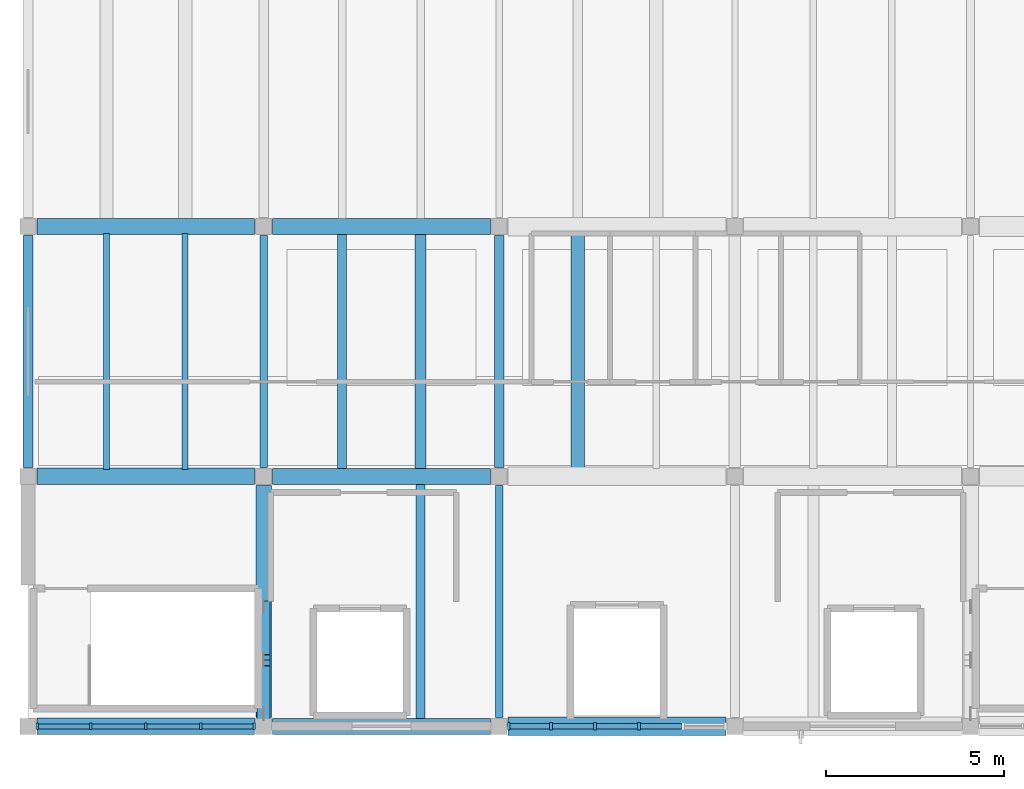
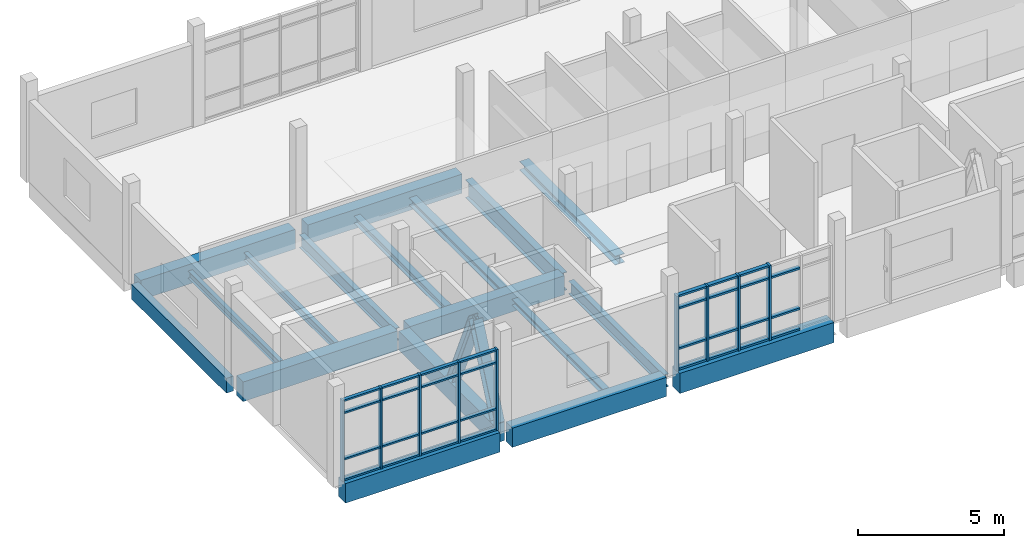
# One storey, part 2 of 10: 42 members, 18 beams, 2 elements without a shape of their own.
"""IFC4 building model written with IfcOpenShell, lengths in metres."""

from ifc_helpers import new_model, si_unit, direction, frame, origin, origin_2d, place, context, subcontext, project, spatial, rectangle, i_section, extrude, material, material_profile, profile_set, type_object, element, aggregate, save


model = new_model("IFC4")

# Units and contexts
model_context = context("Model", 3, precision=1e-05, world=origin(), true_north=direction((0.0, 1.0)))
body_context = subcontext(model_context, "Body", "Model", "MODEL_VIEW")
ifc_project = project(units=[si_unit("LENGTHUNIT", "METRE"), si_unit("AREAUNIT", "SQUARE_METRE"), si_unit("VOLUMEUNIT", "CUBIC_METRE"), si_unit("PLANEANGLEUNIT", "RADIAN"), si_unit("MASSUNIT", "GRAM", prefix="KILO")], contexts=[model_context])

# Site, building, storey
site_placement = place(None, origin())
site = spatial("IfcSite", under=ifc_project, at=site_placement, CompositionType="ELEMENT")
building_placement = place(site_placement, origin())
building = spatial("IfcBuilding", under=site, at=building_placement, Name="Ciguamira Faculty of Natural Sciences", CompositionType="ELEMENT")
storey_placement = place(building_placement, frame((0.0, 0.0, 46.199951171875)))
storey = spatial("IfcBuildingStorey", under=building, at=storey_placement, Name="L11", CompositionType="ELEMENT", Elevation=46.199951171875)

# Curtain wall, members
ifc_material_1 = material(Name="Anodized aluminium curtain wall", Category="aluminium")
curtain_wall_type_1 = type_object("IfcCurtainWallType", Name="CurtainWall_CW-02", PredefinedType="USERDEFINED", material=ifc_material_1)
curtain_wall_1_placement = place(storey_placement, origin())
curtain_wall_1 = element("IfcCurtainWall", 1, at=curtain_wall_1_placement, inside=storey, type_object=curtain_wall_type_1, Name="L11 unitised curtain wall 0170", ObjectType="UNITISED CURTAIN WALL", PredefinedType="USERDEFINED")
ifc_material_2 = material(Name="Anodized aluminium mullion", Category="aluminium")
ifc_material_profile_1 = material_profile(ifc_material_2, rectangle(XDim=0.070068359375, YDim=0.179931640625, at=origin_2d()), Name="ALU-MUL-70X180")
ifc_profile_set_1 = profile_set([ifc_material_profile_1], Name="Anodized aluminium mullion")
member_type_1 = type_object("IfcMemberType", Name="CWMullion_CWM-02", PredefinedType="MULLION", material=ifc_profile_set_1)
member_1_placement = place(storey_placement, frame((70.760009765625, 94.0, 0.0), z_axis=(0.0, 0.0, 1.0), x_axis=(1.0, 0.0, 0.0)))
member_1 = element("IfcMember", 2, at=member_1_placement, type_object=member_type_1, Name="CW-02 mullion 1", PredefinedType="MULLION", context=body_context, shape_type="SweptSolid", body=[
    extrude(rectangle(XDim=0.070068359375, YDim=0.179931640625, at=origin_2d()), origin(), (0.0, 0.0, 1.0), 3.385009765625),
])
member_2_placement = place(storey_placement, frame((72.262451171875, 94.0, 0.0), z_axis=(0.0, 0.0, 1.0), x_axis=(1.0, 0.0, 0.0)))
member_2 = element("IfcMember", 3, at=member_2_placement, type_object=member_type_1, Name="CW-02 mullion 2", PredefinedType="MULLION", context=body_context, shape_type="SweptSolid", body=[
    extrude(rectangle(XDim=0.070068359375, YDim=0.179931640625, at=origin_2d()), origin(), (0.0, 0.0, 1.0), 3.385009765625),
])
member_3_placement = place(storey_placement, frame((73.800048828125, 94.0, 0.0), z_axis=(0.0, 0.0, 1.0), x_axis=(1.0, 0.0, 0.0)))
member_3 = element("IfcMember", 4, at=member_3_placement, type_object=member_type_1, Name="CW-02 mullion 3", PredefinedType="MULLION", context=body_context, shape_type="SweptSolid", body=[
    extrude(rectangle(XDim=0.070068359375, YDim=0.179931640625, at=origin_2d()), origin(), (0.0, 0.0, 1.0), 3.385009765625),
])
member_4_placement = place(storey_placement, frame((75.33740234375, 94.0, 0.0), z_axis=(0.0, 0.0, 1.0), x_axis=(1.0, 0.0, 0.0)))
member_4 = element("IfcMember", 5, at=member_4_placement, type_object=member_type_1, Name="CW-02 mullion 4", PredefinedType="MULLION", context=body_context, shape_type="SweptSolid", body=[
    extrude(rectangle(XDim=0.070068359375, YDim=0.179931640625, at=origin_2d()), origin(), (0.0, 0.0, 1.0), 3.385009765625),
])
member_5_placement = place(storey_placement, frame((76.840087890625, 94.0, 0.0), z_axis=(0.0, 0.0, 1.0), x_axis=(1.0, 0.0, 0.0)))
member_5 = element("IfcMember", 6, at=member_5_placement, type_object=member_type_1, Name="CW-02 mullion 5", PredefinedType="MULLION", context=body_context, shape_type="SweptSolid", body=[
    extrude(rectangle(XDim=0.070068359375, YDim=0.179931640625, at=origin_2d()), origin(), (0.0, 0.0, 1.0), 3.385009765625),
])

curtain_wall_type_2 = type_object("IfcCurtainWallType", Name="CurtainWall_CW-03", PredefinedType="USERDEFINED", material=ifc_material_1)
curtain_wall_2_placement = place(storey_placement, origin())
curtain_wall_2 = element("IfcCurtainWall", 7, at=curtain_wall_2_placement, inside=storey, type_object=curtain_wall_type_2, Name="L11 unitised curtain wall 0171", ObjectType="UNITISED CURTAIN WALL", PredefinedType="USERDEFINED")
ifc_material_profile_2 = material_profile(ifc_material_2, rectangle(XDim=0.080078125, YDim=0.219970703125, at=origin_2d()), Name="ALU-MUL-80X220")
ifc_profile_set_2 = profile_set([ifc_material_profile_2], Name="Anodized aluminium mullion")
member_type_2 = type_object("IfcMemberType", Name="CWMullion_CWM-03", PredefinedType="MULLION", material=ifc_profile_set_2)
member_6_placement = place(storey_placement, frame((83.965087890625, 94.0, 0.0), z_axis=(0.0, 0.0, 1.0), x_axis=(1.0, 0.0, 0.0)))
member_6 = element("IfcMember", 8, at=member_6_placement, type_object=member_type_2, Name="CW-03 mullion 1", PredefinedType="MULLION", context=body_context, shape_type="SweptSolid", body=[
    extrude(rectangle(XDim=0.080078125, YDim=0.219970703125, at=origin_2d()), origin(), (0.0, 0.0, 1.0), 3.135009765625),
])
member_7_placement = place(storey_placement, frame((85.155029296875, 94.0, 0.0), z_axis=(0.0, 0.0, 1.0), x_axis=(1.0, 0.0, 0.0)))
member_7 = element("IfcMember", 9, at=member_7_placement, type_object=member_type_2, Name="CW-03 mullion 2", PredefinedType="MULLION", context=body_context, shape_type="SweptSolid", body=[
    extrude(rectangle(XDim=0.080078125, YDim=0.219970703125, at=origin_2d()), origin(), (0.0, 0.0, 1.0), 3.135009765625),
])
member_8_placement = place(storey_placement, frame((86.385009765625, 94.0, 0.0), z_axis=(0.0, 0.0, 1.0), x_axis=(1.0, 0.0, 0.0)))
member_8 = element("IfcMember", 10, at=member_8_placement, type_object=member_type_2, Name="CW-03 mullion 3", PredefinedType="MULLION", context=body_context, shape_type="SweptSolid", body=[
    extrude(rectangle(XDim=0.080078125, YDim=0.219970703125, at=origin_2d()), origin(), (0.0, 0.0, 1.0), 3.135009765625),
])
member_9_placement = place(storey_placement, frame((87.614990234375, 94.0, 0.0), z_axis=(0.0, 0.0, 1.0), x_axis=(1.0, 0.0, 0.0)))
member_9 = element("IfcMember", 11, at=member_9_placement, type_object=member_type_2, Name="CW-03 mullion 4", PredefinedType="MULLION", context=body_context, shape_type="SweptSolid", body=[
    extrude(rectangle(XDim=0.080078125, YDim=0.219970703125, at=origin_2d()), origin(), (0.0, 0.0, 1.0), 3.135009765625),
])

# Member
ifc_material_3 = material(Name="Anodized aluminium transom", Category="aluminium")
ifc_material_profile_3 = material_profile(ifc_material_3, rectangle(XDim=0.070068359375, YDim=0.139892578125, at=origin_2d()), Name="ALU-TRN-70X140")
ifc_profile_set_3 = profile_set([ifc_material_profile_3], Name="Anodized aluminium transom")
member_type_3 = type_object("IfcMemberType", Name="CWTransom_CWT-02", PredefinedType="USERDEFINED", material=ifc_profile_set_3)
member_10_placement = place(storey_placement, frame((70.794921875, 94.0, 0.03515625), z_axis=(1.0, 0.0, 0.0), x_axis=(0.0, 0.0, 1.0)))
member_10 = element("IfcMember", 12, at=member_10_placement, type_object=member_type_3, Name="CW-02 transom 1.1", ObjectType="TRANSOM", PredefinedType="USERDEFINED", context=body_context, shape_type="SweptSolid", body=[
    extrude(rectangle(XDim=0.070068359375, YDim=0.139892578125, at=origin_2d()), origin(), (0.0, 0.0, 1.0), 1.4326171875),
])

member_11_placement = place(storey_placement, frame((70.794921875, 94.0, 0.900146484375), z_axis=(1.0, 0.0, 0.0), x_axis=(0.0, 0.0, 1.0)))
member_11 = element("IfcMember", 13, at=member_11_placement, type_object=member_type_3, Name="CW-02 transom 1.2", ObjectType="TRANSOM", PredefinedType="USERDEFINED", context=body_context, shape_type="SweptSolid", body=[
    extrude(rectangle(XDim=0.070068359375, YDim=0.139892578125, at=origin_2d()), origin(), (0.0, 0.0, 1.0), 1.4326171875),
])

member_12_placement = place(storey_placement, frame((70.794921875, 94.0, 2.8349609375), z_axis=(1.0, 0.0, 0.0), x_axis=(0.0, 0.0, 1.0)))
member_12 = element("IfcMember", 14, at=member_12_placement, type_object=member_type_3, Name="CW-02 transom 1.3", ObjectType="TRANSOM", PredefinedType="USERDEFINED", context=body_context, shape_type="SweptSolid", body=[
    extrude(rectangle(XDim=0.070068359375, YDim=0.139892578125, at=origin_2d()), origin(), (0.0, 0.0, 1.0), 1.4326171875),
])

member_13_placement = place(storey_placement, frame((70.794921875, 94.0, 3.35009765625), z_axis=(1.0, 0.0, 0.0), x_axis=(0.0, 0.0, 1.0)))
member_13 = element("IfcMember", 15, at=member_13_placement, type_object=member_type_3, Name="CW-02 transom 1.4", ObjectType="TRANSOM", PredefinedType="USERDEFINED", context=body_context, shape_type="SweptSolid", body=[
    extrude(rectangle(XDim=0.070068359375, YDim=0.139892578125, at=origin_2d()), origin(), (0.0, 0.0, 1.0), 1.4326171875),
])

member_14_placement = place(storey_placement, frame((72.297607421875, 94.0, 0.03515625), z_axis=(1.0, 0.0, 0.0), x_axis=(0.0, 0.0, 1.0)))
member_14 = element("IfcMember", 16, at=member_14_placement, type_object=member_type_3, Name="CW-02 transom 2.1", ObjectType="TRANSOM", PredefinedType="USERDEFINED", context=body_context, shape_type="SweptSolid", body=[
    extrude(rectangle(XDim=0.070068359375, YDim=0.139892578125, at=origin_2d()), origin(), (0.0, 0.0, 1.0), 1.46728515625),
])

member_15_placement = place(storey_placement, frame((72.297607421875, 94.0, 0.900146484375), z_axis=(1.0, 0.0, 0.0), x_axis=(0.0, 0.0, 1.0)))
member_15 = element("IfcMember", 17, at=member_15_placement, type_object=member_type_3, Name="CW-02 transom 2.2", ObjectType="TRANSOM", PredefinedType="USERDEFINED", context=body_context, shape_type="SweptSolid", body=[
    extrude(rectangle(XDim=0.070068359375, YDim=0.139892578125, at=origin_2d()), origin(), (0.0, 0.0, 1.0), 1.46728515625),
])

member_16_placement = place(storey_placement, frame((72.297607421875, 94.0, 2.8349609375), z_axis=(1.0, 0.0, 0.0), x_axis=(0.0, 0.0, 1.0)))
member_16 = element("IfcMember", 18, at=member_16_placement, type_object=member_type_3, Name="CW-02 transom 2.3", ObjectType="TRANSOM", PredefinedType="USERDEFINED", context=body_context, shape_type="SweptSolid", body=[
    extrude(rectangle(XDim=0.070068359375, YDim=0.139892578125, at=origin_2d()), origin(), (0.0, 0.0, 1.0), 1.46728515625),
])

member_17_placement = place(storey_placement, frame((72.297607421875, 94.0, 3.35009765625), z_axis=(1.0, 0.0, 0.0), x_axis=(0.0, 0.0, 1.0)))
member_17 = element("IfcMember", 19, at=member_17_placement, type_object=member_type_3, Name="CW-02 transom 2.4", ObjectType="TRANSOM", PredefinedType="USERDEFINED", context=body_context, shape_type="SweptSolid", body=[
    extrude(rectangle(XDim=0.070068359375, YDim=0.139892578125, at=origin_2d()), origin(), (0.0, 0.0, 1.0), 1.46728515625),
])

member_18_placement = place(storey_placement, frame((73.8349609375, 94.0, 0.03515625), z_axis=(1.0, 0.0, 0.0), x_axis=(0.0, 0.0, 1.0)))
member_18 = element("IfcMember", 20, at=member_18_placement, type_object=member_type_3, Name="CW-02 transom 3.1", ObjectType="TRANSOM", PredefinedType="USERDEFINED", context=body_context, shape_type="SweptSolid", body=[
    extrude(rectangle(XDim=0.070068359375, YDim=0.139892578125, at=origin_2d()), origin(), (0.0, 0.0, 1.0), 1.467529296875),
])

member_19_placement = place(storey_placement, frame((73.8349609375, 94.0, 0.900146484375), z_axis=(1.0, 0.0, 0.0), x_axis=(0.0, 0.0, 1.0)))
member_19 = element("IfcMember", 21, at=member_19_placement, type_object=member_type_3, Name="CW-02 transom 3.2", ObjectType="TRANSOM", PredefinedType="USERDEFINED", context=body_context, shape_type="SweptSolid", body=[
    extrude(rectangle(XDim=0.070068359375, YDim=0.139892578125, at=origin_2d()), origin(), (0.0, 0.0, 1.0), 1.467529296875),
])

member_20_placement = place(storey_placement, frame((73.8349609375, 94.0, 2.8349609375), z_axis=(1.0, 0.0, 0.0), x_axis=(0.0, 0.0, 1.0)))
member_20 = element("IfcMember", 22, at=member_20_placement, type_object=member_type_3, Name="CW-02 transom 3.3", ObjectType="TRANSOM", PredefinedType="USERDEFINED", context=body_context, shape_type="SweptSolid", body=[
    extrude(rectangle(XDim=0.070068359375, YDim=0.139892578125, at=origin_2d()), origin(), (0.0, 0.0, 1.0), 1.467529296875),
])

member_21_placement = place(storey_placement, frame((73.8349609375, 94.0, 3.35009765625), z_axis=(1.0, 0.0, 0.0), x_axis=(0.0, 0.0, 1.0)))
member_21 = element("IfcMember", 23, at=member_21_placement, type_object=member_type_3, Name="CW-02 transom 3.4", ObjectType="TRANSOM", PredefinedType="USERDEFINED", context=body_context, shape_type="SweptSolid", body=[
    extrude(rectangle(XDim=0.070068359375, YDim=0.139892578125, at=origin_2d()), origin(), (0.0, 0.0, 1.0), 1.467529296875),
])

member_22_placement = place(storey_placement, frame((75.37255859375, 94.0, 0.03515625), z_axis=(1.0, 0.0, 0.0), x_axis=(0.0, 0.0, 1.0)))
member_22 = element("IfcMember", 24, at=member_22_placement, type_object=member_type_3, Name="CW-02 transom 4.1", ObjectType="TRANSOM", PredefinedType="USERDEFINED", context=body_context, shape_type="SweptSolid", body=[
    extrude(rectangle(XDim=0.070068359375, YDim=0.139892578125, at=origin_2d()), origin(), (0.0, 0.0, 1.0), 1.432373046875),
])

member_23_placement = place(storey_placement, frame((75.37255859375, 94.0, 0.900146484375), z_axis=(1.0, 0.0, 0.0), x_axis=(0.0, 0.0, 1.0)))
member_23 = element("IfcMember", 25, at=member_23_placement, type_object=member_type_3, Name="CW-02 transom 4.2", ObjectType="TRANSOM", PredefinedType="USERDEFINED", context=body_context, shape_type="SweptSolid", body=[
    extrude(rectangle(XDim=0.070068359375, YDim=0.139892578125, at=origin_2d()), origin(), (0.0, 0.0, 1.0), 1.432373046875),
])

member_24_placement = place(storey_placement, frame((75.37255859375, 94.0, 2.8349609375), z_axis=(1.0, 0.0, 0.0), x_axis=(0.0, 0.0, 1.0)))
member_24 = element("IfcMember", 26, at=member_24_placement, type_object=member_type_3, Name="CW-02 transom 4.3", ObjectType="TRANSOM", PredefinedType="USERDEFINED", context=body_context, shape_type="SweptSolid", body=[
    extrude(rectangle(XDim=0.070068359375, YDim=0.139892578125, at=origin_2d()), origin(), (0.0, 0.0, 1.0), 1.432373046875),
])

member_25_placement = place(storey_placement, frame((75.37255859375, 94.0, 3.35009765625), z_axis=(1.0, 0.0, 0.0), x_axis=(0.0, 0.0, 1.0)))
member_25 = element("IfcMember", 27, at=member_25_placement, type_object=member_type_3, Name="CW-02 transom 4.4", ObjectType="TRANSOM", PredefinedType="USERDEFINED", context=body_context, shape_type="SweptSolid", body=[
    extrude(rectangle(XDim=0.070068359375, YDim=0.139892578125, at=origin_2d()), origin(), (0.0, 0.0, 1.0), 1.432373046875),
])

aggregate(curtain_wall_1, [member_1, member_2, member_3, member_4, member_5, member_10, member_11, member_12, member_13, member_14, member_15, member_16, member_17, member_18, member_19, member_20, member_21, member_22, member_23, member_24, member_25])

ifc_material_profile_4 = material_profile(ifc_material_3, rectangle(XDim=0.080078125, YDim=0.159912109375, at=origin_2d()), Name="ALU-TRN-80X160")
ifc_profile_set_4 = profile_set([ifc_material_profile_4], Name="Anodized aluminium transom")
member_type_4 = type_object("IfcMemberType", Name="CWTransom_CWT-03", PredefinedType="USERDEFINED", material=ifc_profile_set_4)
member_26_placement = place(storey_placement, frame((84.0048828125, 94.0, 0.0400390625), z_axis=(1.0, 0.0, 0.0), x_axis=(0.0, 0.0, 1.0)))
member_26 = element("IfcMember", 28, at=member_26_placement, type_object=member_type_4, Name="CW-03 transom 1.1", ObjectType="TRANSOM", PredefinedType="USERDEFINED", context=body_context, shape_type="SweptSolid", body=[
    extrude(rectangle(XDim=0.080078125, YDim=0.159912109375, at=origin_2d()), origin(), (0.0, 0.0, 1.0), 1.110107421875),
])

member_27_placement = place(storey_placement, frame((84.0048828125, 94.0, 0.900146484375), z_axis=(1.0, 0.0, 0.0), x_axis=(0.0, 0.0, 1.0)))
member_27 = element("IfcMember", 29, at=member_27_placement, type_object=member_type_4, Name="CW-03 transom 1.2", ObjectType="TRANSOM", PredefinedType="USERDEFINED", context=body_context, shape_type="SweptSolid", body=[
    extrude(rectangle(XDim=0.080078125, YDim=0.159912109375, at=origin_2d()), origin(), (0.0, 0.0, 1.0), 1.110107421875),
])

member_28_placement = place(storey_placement, frame((84.0048828125, 94.0, 2.5849609375), z_axis=(1.0, 0.0, 0.0), x_axis=(0.0, 0.0, 1.0)))
member_28 = element("IfcMember", 30, at=member_28_placement, type_object=member_type_4, Name="CW-03 transom 1.3", ObjectType="TRANSOM", PredefinedType="USERDEFINED", context=body_context, shape_type="SweptSolid", body=[
    extrude(rectangle(XDim=0.080078125, YDim=0.159912109375, at=origin_2d()), origin(), (0.0, 0.0, 1.0), 1.110107421875),
])

member_29_placement = place(storey_placement, frame((84.0048828125, 94.0, 3.094970703125), z_axis=(1.0, 0.0, 0.0), x_axis=(0.0, 0.0, 1.0)))
member_29 = element("IfcMember", 31, at=member_29_placement, type_object=member_type_4, Name="CW-03 transom 1.4", ObjectType="TRANSOM", PredefinedType="USERDEFINED", context=body_context, shape_type="SweptSolid", body=[
    extrude(rectangle(XDim=0.080078125, YDim=0.159912109375, at=origin_2d()), origin(), (0.0, 0.0, 1.0), 1.110107421875),
])

member_30_placement = place(storey_placement, frame((85.195068359375, 94.0, 0.0400390625), z_axis=(1.0, 0.0, 0.0), x_axis=(0.0, 0.0, 1.0)))
member_30 = element("IfcMember", 32, at=member_30_placement, type_object=member_type_4, Name="CW-03 transom 2.1", ObjectType="TRANSOM", PredefinedType="USERDEFINED", context=body_context, shape_type="SweptSolid", body=[
    extrude(rectangle(XDim=0.080078125, YDim=0.159912109375, at=origin_2d()), origin(), (0.0, 0.0, 1.0), 1.14990234375),
])

member_31_placement = place(storey_placement, frame((85.195068359375, 94.0, 0.900146484375), z_axis=(1.0, 0.0, 0.0), x_axis=(0.0, 0.0, 1.0)))
member_31 = element("IfcMember", 33, at=member_31_placement, type_object=member_type_4, Name="CW-03 transom 2.2", ObjectType="TRANSOM", PredefinedType="USERDEFINED", context=body_context, shape_type="SweptSolid", body=[
    extrude(rectangle(XDim=0.080078125, YDim=0.159912109375, at=origin_2d()), origin(), (0.0, 0.0, 1.0), 1.14990234375),
])

member_32_placement = place(storey_placement, frame((85.195068359375, 94.0, 2.5849609375), z_axis=(1.0, 0.0, 0.0), x_axis=(0.0, 0.0, 1.0)))
member_32 = element("IfcMember", 34, at=member_32_placement, type_object=member_type_4, Name="CW-03 transom 2.3", ObjectType="TRANSOM", PredefinedType="USERDEFINED", context=body_context, shape_type="SweptSolid", body=[
    extrude(rectangle(XDim=0.080078125, YDim=0.159912109375, at=origin_2d()), origin(), (0.0, 0.0, 1.0), 1.14990234375),
])

member_33_placement = place(storey_placement, frame((85.195068359375, 94.0, 3.094970703125), z_axis=(1.0, 0.0, 0.0), x_axis=(0.0, 0.0, 1.0)))
member_33 = element("IfcMember", 35, at=member_33_placement, type_object=member_type_4, Name="CW-03 transom 2.4", ObjectType="TRANSOM", PredefinedType="USERDEFINED", context=body_context, shape_type="SweptSolid", body=[
    extrude(rectangle(XDim=0.080078125, YDim=0.159912109375, at=origin_2d()), origin(), (0.0, 0.0, 1.0), 1.14990234375),
])

member_34_placement = place(storey_placement, frame((86.425048828125, 94.0, 0.0400390625), z_axis=(1.0, 0.0, 0.0), x_axis=(0.0, 0.0, 1.0)))
member_34 = element("IfcMember", 36, at=member_34_placement, type_object=member_type_4, Name="CW-03 transom 3.1", ObjectType="TRANSOM", PredefinedType="USERDEFINED", context=body_context, shape_type="SweptSolid", body=[
    extrude(rectangle(XDim=0.080078125, YDim=0.159912109375, at=origin_2d()), origin(), (0.0, 0.0, 1.0), 1.14990234375),
])

member_35_placement = place(storey_placement, frame((86.425048828125, 94.0, 0.900146484375), z_axis=(1.0, 0.0, 0.0), x_axis=(0.0, 0.0, 1.0)))
member_35 = element("IfcMember", 37, at=member_35_placement, type_object=member_type_4, Name="CW-03 transom 3.2", ObjectType="TRANSOM", PredefinedType="USERDEFINED", context=body_context, shape_type="SweptSolid", body=[
    extrude(rectangle(XDim=0.080078125, YDim=0.159912109375, at=origin_2d()), origin(), (0.0, 0.0, 1.0), 1.14990234375),
])

member_36_placement = place(storey_placement, frame((86.425048828125, 94.0, 2.5849609375), z_axis=(1.0, 0.0, 0.0), x_axis=(0.0, 0.0, 1.0)))
member_36 = element("IfcMember", 38, at=member_36_placement, type_object=member_type_4, Name="CW-03 transom 3.3", ObjectType="TRANSOM", PredefinedType="USERDEFINED", context=body_context, shape_type="SweptSolid", body=[
    extrude(rectangle(XDim=0.080078125, YDim=0.159912109375, at=origin_2d()), origin(), (0.0, 0.0, 1.0), 1.14990234375),
])

member_37_placement = place(storey_placement, frame((86.425048828125, 94.0, 3.094970703125), z_axis=(1.0, 0.0, 0.0), x_axis=(0.0, 0.0, 1.0)))
member_37 = element("IfcMember", 39, at=member_37_placement, type_object=member_type_4, Name="CW-03 transom 3.4", ObjectType="TRANSOM", PredefinedType="USERDEFINED", context=body_context, shape_type="SweptSolid", body=[
    extrude(rectangle(XDim=0.080078125, YDim=0.159912109375, at=origin_2d()), origin(), (0.0, 0.0, 1.0), 1.14990234375),
])

member_38_placement = place(storey_placement, frame((87.655029296875, 94.0, 0.0400390625), z_axis=(1.0, 0.0, 0.0), x_axis=(0.0, 0.0, 1.0)))
member_38 = element("IfcMember", 40, at=member_38_placement, type_object=member_type_4, Name="CW-03 transom 4.1", ObjectType="TRANSOM", PredefinedType="USERDEFINED", context=body_context, shape_type="SweptSolid", body=[
    extrude(rectangle(XDim=0.080078125, YDim=0.159912109375, at=origin_2d()), origin(), (0.0, 0.0, 1.0), 1.14990234375),
])

member_39_placement = place(storey_placement, frame((87.655029296875, 94.0, 0.900146484375), z_axis=(1.0, 0.0, 0.0), x_axis=(0.0, 0.0, 1.0)))
member_39 = element("IfcMember", 41, at=member_39_placement, type_object=member_type_4, Name="CW-03 transom 4.2", ObjectType="TRANSOM", PredefinedType="USERDEFINED", context=body_context, shape_type="SweptSolid", body=[
    extrude(rectangle(XDim=0.080078125, YDim=0.159912109375, at=origin_2d()), origin(), (0.0, 0.0, 1.0), 1.14990234375),
])

member_40_placement = place(storey_placement, frame((87.655029296875, 94.0, 2.5849609375), z_axis=(1.0, 0.0, 0.0), x_axis=(0.0, 0.0, 1.0)))
member_40 = element("IfcMember", 42, at=member_40_placement, type_object=member_type_4, Name="CW-03 transom 4.3", ObjectType="TRANSOM", PredefinedType="USERDEFINED", context=body_context, shape_type="SweptSolid", body=[
    extrude(rectangle(XDim=0.080078125, YDim=0.159912109375, at=origin_2d()), origin(), (0.0, 0.0, 1.0), 1.14990234375),
])

aggregate(curtain_wall_2, [member_6, member_7, member_8, member_9, member_26, member_27, member_28, member_29, member_30, member_31, member_32, member_33, member_34, member_35, member_36, member_37, member_38, member_39, member_40])

# Beams
ifc_material_4 = material(Name="Concrete C40/50", Category="concrete")
ifc_material_profile_5 = material_profile(ifc_material_4, rectangle(XDim=0.4599609375, YDim=0.820068359375, at=origin_2d()), Name="RC-BM-460X820")
ifc_profile_set_5 = profile_set([ifc_material_profile_5], Name="Concrete C40/50")
beam_type_1 = type_object("IfcBeamType", Name="RCBeam_BG-04_RC-BM-460X820", PredefinedType="BEAM", material=ifc_profile_set_5)
for number, where, z_axis, x_axis, name in (
    (43, (70.75, 94.0, -0.409912109375), (1.0, 0.0, 0.0), (0.0, 1.0, 0.0), "L11 RC girder EW-1708"),
    (44, (70.75, 101.0, -0.409912109375), (1.0, 0.0, 0.0), (0.0, 1.0, 0.0), "L11 RC girder EW-1713"),
    (45, (70.75, 108.0, -0.409912109375), (1.0, 0.0, 0.0), (0.0, 1.0, 0.0), "L11 RC girder EW-1718"),
):
    element("IfcBeam", number, at=place(storey_placement, frame(where, z_axis=z_axis, x_axis=x_axis)), inside=storey, type_object=beam_type_1, Name=name, PredefinedType="BEAM", context=body_context, shape_type="SweptSolid", body=[
        extrude(rectangle(XDim=0.4599609375, YDim=0.820068359375, at=origin_2d()), origin(), (0.0, 0.0, 1.0), 6.10009765625),
    ])
ifc_material_profile_6 = material_profile(ifc_material_4, rectangle(XDim=0.449951171875, YDim=0.800048828125, at=origin_2d()), Name="RC-BM-450X800")
ifc_profile_set_6 = profile_set([ifc_material_profile_6], Name="Concrete C40/50")
beam_type_2 = type_object("IfcBeamType", Name="RCBeam_BG-05_RC-BM-450X800", PredefinedType="BEAM", material=ifc_profile_set_6)
for number, where, z_axis, x_axis, name in (
    (46, (77.35009765625, 94.0, -0.39990234375), (1.0, 0.0, 0.0), (0.0, 1.0, 0.0), "L11 RC girder EW-1709"),
    (47, (77.35009765625, 101.0, -0.39990234375), (1.0, 0.0, 0.0), (0.0, 1.0, 0.0), "L11 RC girder EW-1714"),
    (48, (77.35009765625, 108.0, -0.39990234375), (1.0, 0.0, 0.0), (0.0, 1.0, 0.0), "L11 RC girder EW-1719"),
):
    element("IfcBeam", number, at=place(storey_placement, frame(where, z_axis=z_axis, x_axis=x_axis)), inside=storey, type_object=beam_type_2, Name=name, PredefinedType="BEAM", context=body_context, shape_type="SweptSolid", body=[
        extrude(rectangle(XDim=0.449951171875, YDim=0.800048828125, at=origin_2d()), origin(), (0.0, 0.0, 1.0), 6.099853515625),
    ])
ifc_material_profile_7 = material_profile(ifc_material_4, rectangle(XDim=0.43994140625, YDim=0.780029296875, at=origin_2d()), Name="RC-BM-440X780")
ifc_profile_set_7 = profile_set([ifc_material_profile_7], Name="Concrete C40/50")
beam_type_3 = type_object("IfcBeamType", Name="RCBeam_BG-06_RC-BM-440X780", PredefinedType="BEAM", material=ifc_profile_set_7)
beam_1_placement = place(storey_placement, frame((77.10009765625, 94.25, -0.389892578125), z_axis=(0.0, 1.0, 0.0), x_axis=(-1.0, 0.0, 0.0)))
element("IfcBeam", 49, at=beam_1_placement, inside=storey, type_object=beam_type_3, Name="L11 core-end brace tie girder 77", PredefinedType="BEAM", context=body_context, shape_type="SweptSolid", body=[
    extrude(rectangle(XDim=0.43994140625, YDim=0.780029296875, at=origin_2d()), origin(), (0.0, 0.0, 1.0), 6.5),
])
ifc_material_5 = material(Name="Precast concrete C40/50", Category="concrete")
ifc_material_profile_8 = material_profile(ifc_material_5, rectangle(XDim=0.280029296875, YDim=0.6201171875, at=origin_2d()), Name="RC-SP-280X620")
ifc_profile_set_8 = profile_set([ifc_material_profile_8], Name="Precast concrete C40/50")
beam_type_4 = type_object("IfcBeamType", Name="RCBeam_SP-01_RC-SP-280X620", PredefinedType="SPANDREL", material=ifc_profile_set_8)
beam_2_placement = place(storey_placement, frame((70.5, 101.25, -0.31005859375), z_axis=(0.0, 1.0, 0.0), x_axis=(-1.0, 0.0, 0.0)))
element("IfcBeam", 50, at=beam_2_placement, inside=storey, type_object=beam_type_4, Name="L11 girder NS-1728", PredefinedType="SPANDREL", context=body_context, shape_type="SweptSolid", body=[
    extrude(rectangle(XDim=0.280029296875, YDim=0.6201171875, at=origin_2d()), origin(), (0.0, 0.0, 1.0), 6.5),
])
ifc_material_profile_9 = material_profile(ifc_material_4, rectangle(XDim=0.52001953125, YDim=0.840087890625, at=origin_2d()), Name="RC-TB-520X840")
ifc_profile_set_9 = profile_set([ifc_material_profile_9], Name="Concrete C40/50")
beam_type_5 = type_object("IfcBeamType", Name="RCBeam_TB-02_RC-TB-520X840", PredefinedType="T_BEAM", material=ifc_profile_set_9)
beam_3_placement = place(storey_placement, frame((83.949951171875, 94.0, -0.419921875), z_axis=(1.0, 0.0, 0.0), x_axis=(0.0, 1.0, 0.0)))
element("IfcBeam", 51, at=beam_3_placement, inside=storey, type_object=beam_type_5, Name="L11 RC girder EW-1710", PredefinedType="T_BEAM", context=body_context, shape_type="SweptSolid", body=[
    extrude(rectangle(XDim=0.52001953125, YDim=0.840087890625, at=origin_2d()), origin(), (0.0, 0.0, 1.0), 6.10009765625),
])
ifc_material_6 = material(Name="Steel ASTM A992 Grade 50", Category="steel")
ifc_material_profile_10 = material_profile(ifc_material_6, i_section(OverallWidth=0.2099609375, OverallDepth=0.535888671875, WebThickness=0.010986328125, FlangeThickness=0.017333984375, at=origin_2d()), Name="W21X68")
ifc_profile_set_10 = profile_set([ifc_material_profile_10], Name="Steel ASTM A992 Grade 50")
beam_type_6 = type_object("IfcBeamType", Name="SteelGirder_SB-28_W21X68", PredefinedType="BEAM", material=ifc_profile_set_10)
for number, where, z_axis, x_axis, name in (
    (52, (77.10009765625, 101.25, -0.52783203125), (0.0, 1.0, 0.0), (-1.0, 0.0, 0.0), "L11 girder NS-1730"),
    (53, (83.699951171875, 94.25, -0.52783203125), (0.0, 1.0, 0.0), (-1.0, 0.0, 0.0), "L11 girder NS-1732"),
):
    element("IfcBeam", number, at=place(storey_placement, frame(where, z_axis=z_axis, x_axis=x_axis)), inside=storey, type_object=beam_type_6, Name=name, PredefinedType="BEAM", context=body_context, shape_type="SweptSolid", body=[
        extrude(i_section(OverallWidth=0.2099609375, OverallDepth=0.535888671875, WebThickness=0.010986328125, FlangeThickness=0.017333984375, at=origin_2d()), origin(), (0.0, 0.0, 1.0), 6.5),
    ])
ifc_material_profile_11 = material_profile(ifc_material_6, i_section(OverallWidth=0.2666015625, OverallDepth=0.75439453125, WebThickness=0.01318359375, FlangeThickness=0.01708984375, at=origin_2d()), Name="W30X99")
ifc_profile_set_11 = profile_set([ifc_material_profile_11], Name="Steel ASTM A992 Grade 50")
beam_type_7 = type_object("IfcBeamType", Name="SteelGirder_SB-35_W30X99", PredefinedType="BEAM", material=ifc_profile_set_11)
beam_4_placement = place(storey_placement, frame((83.699951171875, 101.25, -0.63720703125), z_axis=(0.0, 1.0, 0.0), x_axis=(-1.0, 0.0, 0.0)))
element("IfcBeam", 54, at=beam_4_placement, inside=storey, type_object=beam_type_7, Name="L11 girder NS-1733", PredefinedType="BEAM", context=body_context, shape_type="SweptSolid", body=[
    extrude(i_section(OverallWidth=0.2666015625, OverallDepth=0.75439453125, WebThickness=0.01318359375, FlangeThickness=0.01708984375, at=origin_2d()), origin(), (0.0, 0.0, 1.0), 6.5),
])
ifc_material_profile_12 = material_profile(ifc_material_6, i_section(OverallWidth=0.25390625, OverallDepth=0.25390625, WebThickness=0.008544921875, FlangeThickness=0.01416015625, at=origin_2d()), Name="W10X49")
ifc_profile_set_12 = profile_set([ifc_material_profile_12], Name="Steel ASTM A992 Grade 50")
beam_type_8 = type_object("IfcBeamType", Name="SteelJoist_SJ-03_W10X49", PredefinedType="JOIST", material=ifc_profile_set_12)
beam_5_placement = place(storey_placement, frame((81.5, 94.18505859375, -0.386962890625), z_axis=(0.0, 1.0, 0.0), x_axis=(-1.0, 0.0, 0.0)))
element("IfcBeam", 55, at=beam_5_placement, inside=storey, type_object=beam_type_8, Name="L11 composite steel joist 01532", PredefinedType="JOIST", context=body_context, shape_type="SweptSolid", body=[
    extrude(i_section(OverallWidth=0.25390625, OverallDepth=0.25390625, WebThickness=0.008544921875, FlangeThickness=0.01416015625, at=origin_2d()), origin(), (0.0, 0.0, 1.0), 6.6298828125),
])
ifc_material_profile_13 = material_profile(ifc_material_6, i_section(OverallWidth=0.164794921875, OverallDepth=0.309814453125, WebThickness=0.005859375, FlangeThickness=0.009765625, at=origin_2d()), Name="W12X26")
ifc_profile_set_13 = profile_set([ifc_material_profile_13], Name="Steel ASTM A992 Grade 50")
beam_type_9 = type_object("IfcBeamType", Name="SteelJoist_SJ-04_W12X26", PredefinedType="JOIST", material=ifc_profile_set_13)
beam_6_placement = place(storey_placement, frame((72.699951171875, 101.18994140625, -0.414794921875), z_axis=(0.0, 1.0, 0.0), x_axis=(-1.0, 0.0, 0.0)))
element("IfcBeam", 56, at=beam_6_placement, inside=storey, type_object=beam_type_9, Name="L11 composite steel joist 01528", PredefinedType="JOIST", context=body_context, shape_type="SweptSolid", body=[
    extrude(i_section(OverallWidth=0.164794921875, OverallDepth=0.309814453125, WebThickness=0.005859375, FlangeThickness=0.009765625, at=origin_2d()), origin(), (0.0, 0.0, 1.0), 6.6201171875),
])
ifc_material_profile_14 = material_profile(ifc_material_6, i_section(OverallWidth=0.16650390625, OverallDepth=0.3173828125, WebThickness=0.007568359375, FlangeThickness=0.01318359375, at=origin_2d()), Name="W12X35")
ifc_profile_set_14 = profile_set([ifc_material_profile_14], Name="Steel ASTM A992 Grade 50")
beam_type_10 = type_object("IfcBeamType", Name="SteelJoist_SJ-05_W12X35", PredefinedType="JOIST", material=ifc_profile_set_14)
beam_7_placement = place(storey_placement, frame((74.89990234375, 101.18994140625, -0.418701171875), z_axis=(0.0, 1.0, 0.0), x_axis=(-1.0, 0.0, 0.0)))
element("IfcBeam", 57, at=beam_7_placement, inside=storey, type_object=beam_type_10, Name="L11 composite steel joist 01529", PredefinedType="JOIST", context=body_context, shape_type="SweptSolid", body=[
    extrude(i_section(OverallWidth=0.16650390625, OverallDepth=0.3173828125, WebThickness=0.007568359375, FlangeThickness=0.01318359375, at=origin_2d()), origin(), (0.0, 0.0, 1.0), 6.6201171875),
])
ifc_material_profile_15 = material_profile(ifc_material_6, i_section(OverallWidth=0.25390625, OverallDepth=0.307373046875, WebThickness=0.0087890625, FlangeThickness=0.0146484375, at=origin_2d()), Name="W12X53")
ifc_profile_set_15 = profile_set([ifc_material_profile_15], Name="Steel ASTM A992 Grade 50")
beam_type_11 = type_object("IfcBeamType", Name="SteelJoist_SJ-07_W12X53", PredefinedType="JOIST", material=ifc_profile_set_15)
beam_8_placement = place(storey_placement, frame((79.300048828125, 101.18505859375, -0.41357421875), z_axis=(0.0, 1.0, 0.0), x_axis=(-1.0, 0.0, 0.0)))
element("IfcBeam", 58, at=beam_8_placement, inside=storey, type_object=beam_type_11, Name="L11 composite steel joist 01533", PredefinedType="JOIST", context=body_context, shape_type="SweptSolid", body=[
    extrude(i_section(OverallWidth=0.25390625, OverallDepth=0.307373046875, WebThickness=0.0087890625, FlangeThickness=0.0146484375, at=origin_2d()), origin(), (0.0, 0.0, 1.0), 6.6298828125),
])
ifc_material_profile_16 = material_profile(ifc_material_6, i_section(OverallWidth=0.3046875, OverallDepth=0.307373046875, WebThickness=0.010009765625, FlangeThickness=0.015380859375, at=origin_2d()), Name="W12X65")
ifc_profile_set_16 = profile_set([ifc_material_profile_16], Name="Steel ASTM A992 Grade 50")
beam_type_12 = type_object("IfcBeamType", Name="SteelJoist_SJ-08_W12X65", PredefinedType="JOIST", material=ifc_profile_set_16)
beam_9_placement = place(storey_placement, frame((81.5, 101.18505859375, -0.41357421875), z_axis=(0.0, 1.0, 0.0), x_axis=(-1.0, 0.0, 0.0)))
element("IfcBeam", 59, at=beam_9_placement, inside=storey, type_object=beam_type_12, Name="L11 composite steel joist 01534", PredefinedType="JOIST", context=body_context, shape_type="SweptSolid", body=[
    extrude(i_section(OverallWidth=0.3046875, OverallDepth=0.307373046875, WebThickness=0.010009765625, FlangeThickness=0.015380859375, at=origin_2d()), origin(), (0.0, 0.0, 1.0), 6.6298828125),
])
ifc_material_profile_17 = material_profile(ifc_material_6, i_section(OverallWidth=0.373291015625, OverallDepth=0.373291015625, WebThickness=0.016357421875, FlangeThickness=0.026123046875, at=origin_2d()), Name="W14X132")
ifc_profile_set_17 = profile_set([ifc_material_profile_17], Name="Steel ASTM A992 Grade 50")
beam_type_13 = type_object("IfcBeamType", Name="SteelJoist_SJ-10_W14X132", PredefinedType="JOIST", material=ifc_profile_set_17)
beam_10_placement = place(storey_placement, frame((85.89990234375, 101.219970703125, -0.446533203125), z_axis=(0.0, 1.0, 0.0), x_axis=(-1.0, 0.0, 0.0)))
element("IfcBeam", 60, at=beam_10_placement, inside=storey, type_object=beam_type_13, Name="L11 composite steel joist 01537", PredefinedType="JOIST", context=body_context, shape_type="SweptSolid", body=[
    extrude(i_section(OverallWidth=0.373291015625, OverallDepth=0.373291015625, WebThickness=0.016357421875, FlangeThickness=0.026123046875, at=origin_2d()), origin(), (0.0, 0.0, 1.0), 6.56005859375),
])

# Members
ifc_material_profile_18 = material_profile(ifc_material_6, i_section(OverallWidth=0.368408203125, OverallDepth=0.355712890625, WebThickness=0.01123046875, FlangeThickness=0.01806640625, at=origin_2d()), Name="W14X90")
ifc_profile_set_18 = profile_set([ifc_material_profile_18], Name="Steel ASTM A992 Grade 50")
member_type_5 = type_object("IfcMemberType", Name="SteelMember_BR-01_W14X90", PredefinedType="BRACE", material=ifc_profile_set_18)
for number, where, z_axis, x_axis, name in (
    (61, (77.10009765625, 94.35009765625, 0.0), (0.0, 0.401645143601, 0.915795380323), (-1.0, 0.0, 0.0), "L11 lateral chevron brace 049"),
    (62, (77.10009765625, 97.35009765625, 0.0), (0.0, -0.401645143601, 0.915795380323), (1.0, 0.0, 0.0), "L11 lateral chevron brace 050"),
):
    element("IfcMember", number, at=place(storey_placement, frame(where, z_axis=z_axis, x_axis=x_axis)), inside=storey, type_object=member_type_5, Name=name, PredefinedType="BRACE", context=body_context, shape_type="SweptSolid", body=[
        extrude(i_section(OverallWidth=0.368408203125, OverallDepth=0.355712890625, WebThickness=0.01123046875, FlangeThickness=0.01806640625, at=origin_2d()), origin(), (0.0, 0.0, 1.0), 3.734619140625),
    ])

save(model, "model.ifc")
